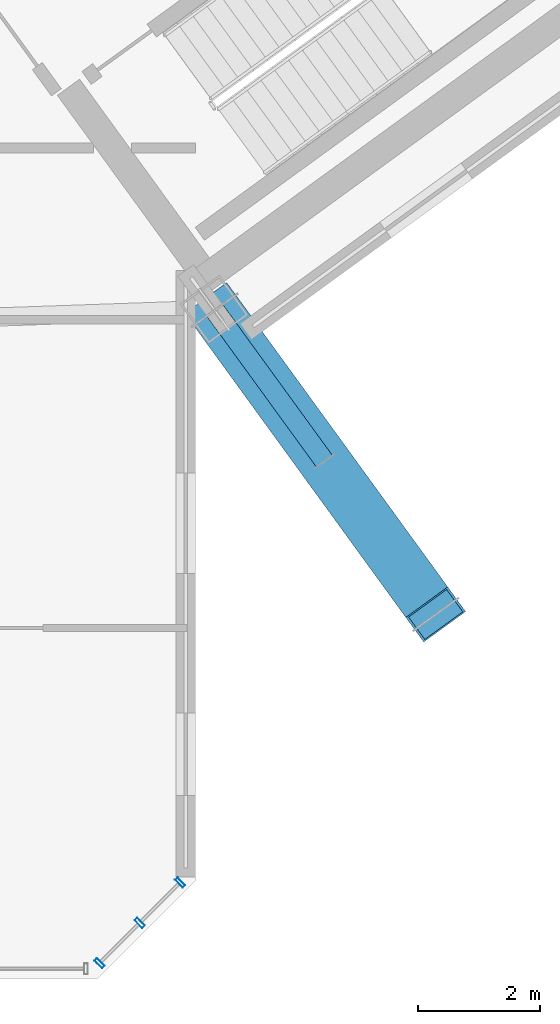
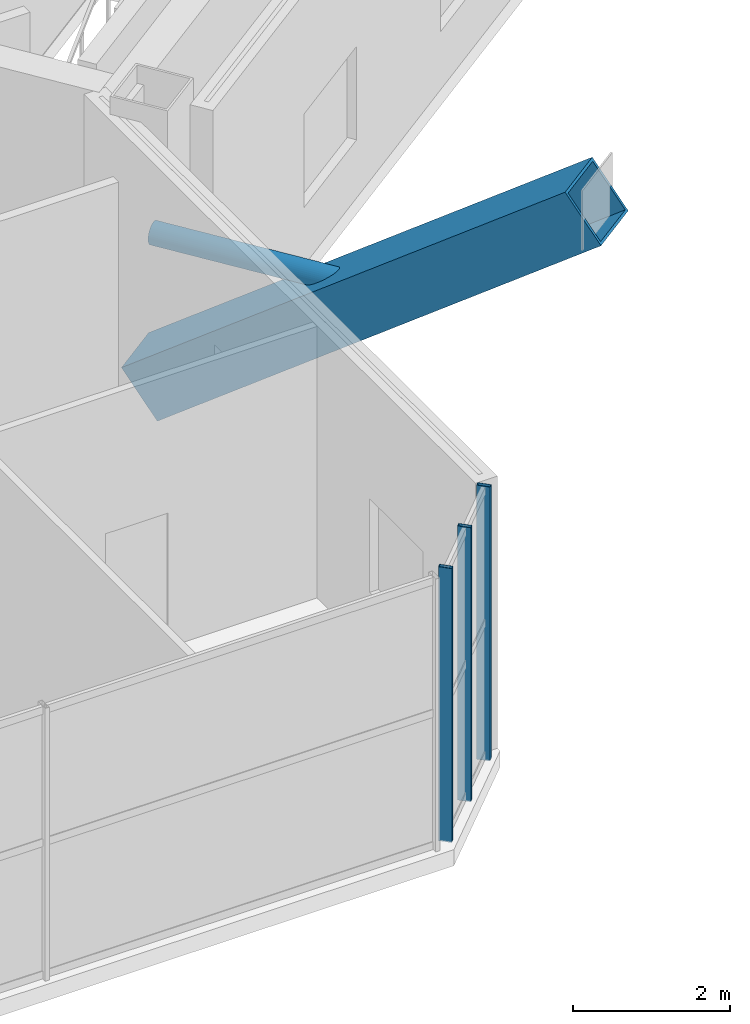
# One storey, part 11 of 34: 5 members, 1 element without a shape of its own.
"""IFC4 building model written with IfcOpenShell, lengths in metres."""

from ifc_helpers import new_model, si_unit, direction, frame, origin, origin_2d, place, context, subcontext, project, spatial, hollow_rectangle, hollow_circle, extrude, source, transform, mapped, material, material_profile, profile_set, type_object, element, aggregate, save


model = new_model("IFC4")

# Units and contexts
model_context = context("Model", 3, precision=1e-05, world=origin(), true_north=direction((0.0, 1.0)))
body_context = subcontext(model_context, "Body", "Model", "MODEL_VIEW")
ifc_project = project(units=[si_unit("LENGTHUNIT", "METRE"), si_unit("AREAUNIT", "SQUARE_METRE"), si_unit("VOLUMEUNIT", "CUBIC_METRE"), si_unit("PLANEANGLEUNIT", "RADIAN"), si_unit("MASSUNIT", "GRAM", prefix="KILO")], contexts=[model_context])

# Site, building, storey
site_placement = place(None, origin())
site = spatial("IfcSite", under=ifc_project, at=site_placement, CompositionType="ELEMENT")
building_placement = place(site_placement, origin())
building = spatial("IfcBuilding", under=site, at=building_placement, Name="Tlacorven Tower", CompositionType="ELEMENT")
storey_placement = place(building_placement, frame((0.0, 0.0, 229.199951171875)))
storey = spatial("IfcBuildingStorey", under=building, at=storey_placement, Name="L58", CompositionType="ELEMENT", Elevation=229.199951171875)

# Members
ifc_material_1 = material(Name="Steel S460M", Category="steel")
ifc_material_profile_1 = material_profile(ifc_material_1, hollow_rectangle(XDim=0.85009765625, YDim=0.85009765625, WallThickness=0.0400390625, at=origin_2d()), Name="BOX 850X850X40")
ifc_profile_set_1 = profile_set([ifc_material_profile_1], Name="Steel S460M")
member_type_1 = type_object("IfcMemberType", Name="MB-RAK-EXT", PredefinedType="STRUT", material=ifc_profile_set_1)
shared_shape_1 = source(origin(), body_context, "Body", "SweptSolid", [
    extrude(hollow_rectangle(XDim=0.85009765625, YDim=0.85009765625, WallThickness=0.0400390625, at=origin_2d()), origin(), (0.0, 0.0, 1.0), 7.62109375),
])
member_1_placement = place(storey_placement, frame((52.71484375, 12.76025390625, 0.01171875), z_axis=(0.475691676108, -0.654736782025, 0.587398651297), x_axis=(0.809018428472, 0.587783278422, 0.0)))
element("IfcMember", 1, at=member_1_placement, inside=storey, type_object=member_type_1, Name="L58 Block-Shift Raking Transfer Strut E1", PredefinedType="STRUT", context=body_context, shape_type="MappedRepresentation", body=[
    mapped(shared_shape_1, transform((0.0, 0.0, 0.0), scale=1.0)),
])
ifc_material_profile_2 = material_profile(ifc_material_1, hollow_circle(Radius=0.161865234375, WallThickness=0.01611328125, at=origin_2d()), Name="CHS 323.9X16")
ifc_profile_set_2 = profile_set([ifc_material_profile_2], Name="Steel S460M")
member_type_2 = type_object("IfcMemberType", Name="MB-SHF-BRC", PredefinedType="BRACE", material=ifc_profile_set_2)
shared_shape_2 = source(origin(), body_context, "Body", "SweptSolid", [
    extrude(hollow_circle(Radius=0.161865234375, WallThickness=0.01611328125, at=origin_2d()), origin(), (0.0, 0.0, 1.0), 3.06005859375),
])
member_2_placement = place(storey_placement, frame((52.71728515625, 12.75732421875, 2.25), z_axis=(0.587777877013, -0.809022352778, 0.0), x_axis=(0.809022352778, 0.587777877013, 0.0)))
element("IfcMember", 2, at=member_2_placement, inside=storey, type_object=member_type_2, Name="L58 Raking Strut Stabilising Web Brace E1", PredefinedType="BRACE", context=body_context, shape_type="MappedRepresentation", body=[
    mapped(shared_shape_2, transform((0.0, 0.0, 0.0), scale=1.0)),
])

# Curtain wall, members
ifc_material_2 = material(Name="Dark solar low-E double glazing in aluminium frame", Category="aluminium")
curtain_wall_type = type_object("IfcCurtainWallType", Name="CW-TWR-HIGH", PredefinedType="USERDEFINED", material=ifc_material_2)
curtain_wall_placement = place(storey_placement, origin())
curtain_wall = element("IfcCurtainWall", 3, at=curtain_wall_placement, inside=storey, type_object=curtain_wall_type, Name="L58 CW-TWR-HIGH Curtain Wall 262", ObjectType="UNITISED CURTAIN WALL", PredefinedType="USERDEFINED")
ifc_material_3 = material(Name="Aluminium 6063-T6 anodised", Category="aluminium")
ifc_material_profile_3 = material_profile(ifc_material_3, hollow_rectangle(XDim=0.06005859375, YDim=0.179931640625, WallThickness=0.00390625, at=origin_2d()), Name="ALU MULLION 60X180")
ifc_profile_set_3 = profile_set([ifc_material_profile_3], Name="Aluminium 6063-T6 anodised")
member_type_3 = type_object("IfcMemberType", Name="CWM-03", PredefinedType="MULLION", material=ifc_profile_set_3)
shared_shape_3 = source(origin(), body_context, "Body", "SweptSolid", [
    extrude(hollow_rectangle(XDim=0.06005859375, YDim=0.179931640625, WallThickness=0.00390625, at=origin_2d()), origin(), (0.0, 0.0, 1.0), 4.25),
])
member_3_placement = place(storey_placement, frame((52.148193359375, 3.374267578125, -0.02001953125), z_axis=(0.0, 0.0, 1.0), x_axis=(-0.707106781187, -0.707106781187, 0.0)))
member_3 = element("IfcMember", 4, at=member_3_placement, type_object=member_type_3, Name="CW-L58-262 Mullion 1", PredefinedType="MULLION", context=body_context, shape_type="MappedRepresentation", body=[
    mapped(shared_shape_3, transform((0.0, 0.0, 0.0), scale=1.0)),
])
member_4_placement = place(storey_placement, frame((51.48681640625, 2.713134765625, -0.02001953125), z_axis=(0.0, 0.0, 1.0), x_axis=(-0.707106781187, -0.707106781187, 0.0)))
member_4 = element("IfcMember", 5, at=member_4_placement, type_object=member_type_3, Name="CW-L58-262 Mullion 2", PredefinedType="MULLION", context=body_context, shape_type="MappedRepresentation", body=[
    mapped(shared_shape_3, transform((0.0, 0.0, 0.0), scale=1.0)),
])
member_5_placement = place(storey_placement, frame((50.82568359375, 2.052001953125, -0.02001953125), z_axis=(0.0, 0.0, 1.0), x_axis=(-0.707106781187, -0.707106781187, 0.0)))
member_5 = element("IfcMember", 6, at=member_5_placement, type_object=member_type_3, Name="CW-L58-262 Mullion 3", PredefinedType="MULLION", context=body_context, shape_type="MappedRepresentation", body=[
    mapped(shared_shape_3, transform((0.0, 0.0, 0.0), scale=1.0)),
])
aggregate(curtain_wall, [member_3, member_4, member_5])

save(model, "model.ifc")
